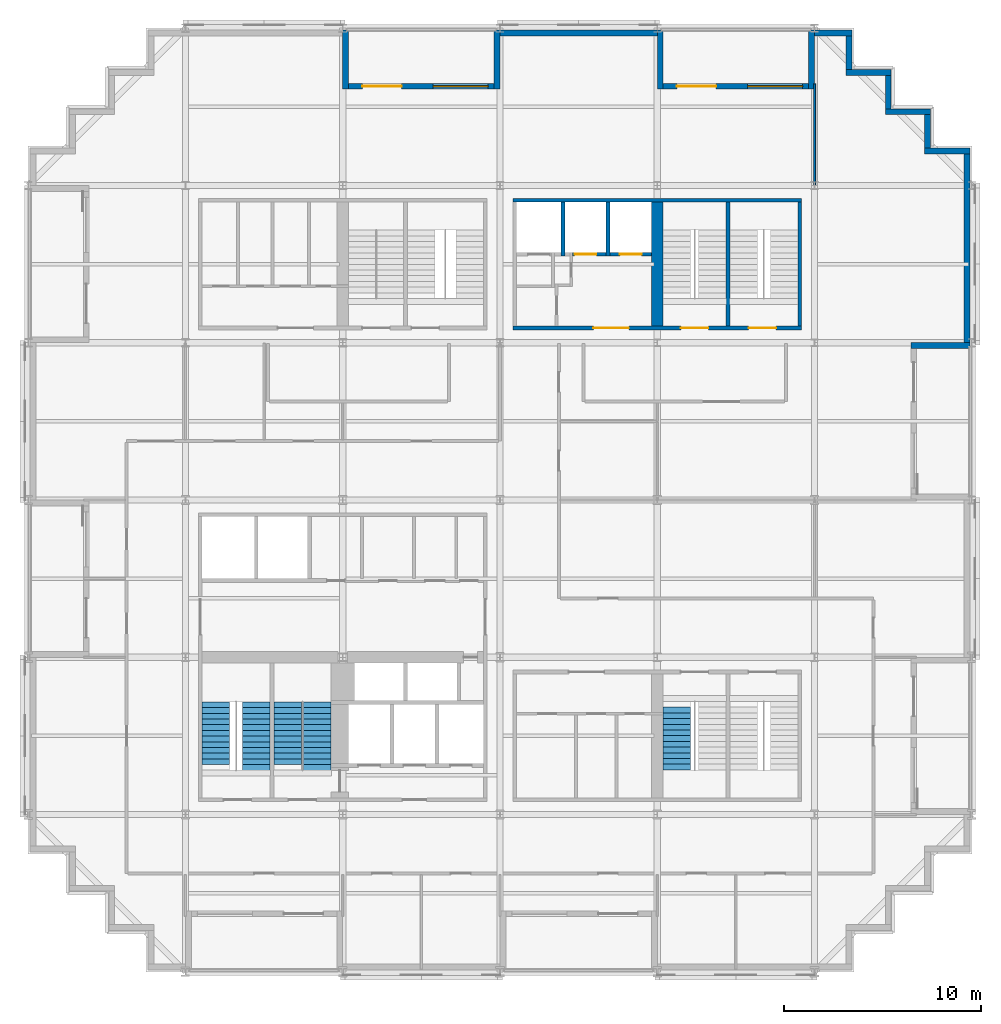
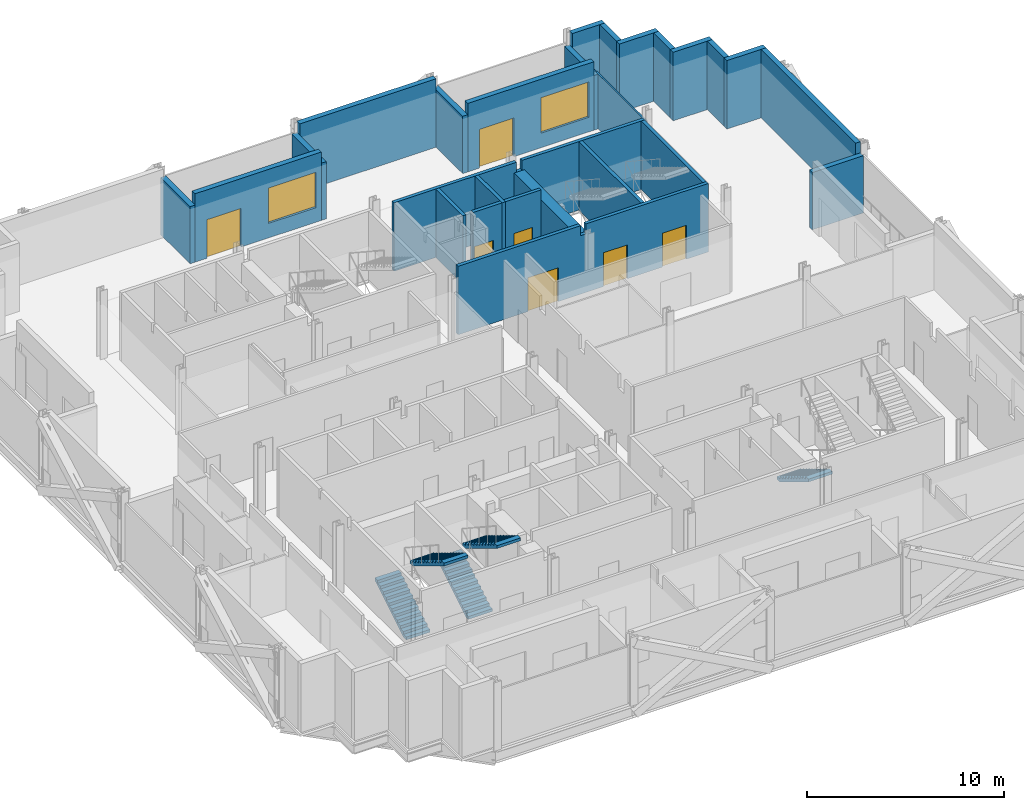
# One storey, part 9 of 12: 26 walls, 7 doors, 5 stair flights, 2 windows, 9 openings, 3 elements without a shape of their own.
"""IFC4 building model written with IfcOpenShell, lengths in metres."""

from ifc_helpers import new_model, si_unit, direction, frame, frame_2d, origin, place, context, subcontext, project, spatial, polyline, rectangle, outline, extrude, material, layer, layer_set, type_object, element, fill, aggregate, save


model = new_model("IFC4")

# Units and contexts
model_context = context("Model", 3, precision=1e-05, world=origin(), true_north=direction((0.0, 1.0)))
body_context = subcontext(model_context, "Body", "Model", "MODEL_VIEW")
ifc_project = project(units=[si_unit("LENGTHUNIT", "METRE"), si_unit("AREAUNIT", "SQUARE_METRE"), si_unit("VOLUMEUNIT", "CUBIC_METRE"), si_unit("PLANEANGLEUNIT", "RADIAN"), si_unit("MASSUNIT", "GRAM", prefix="KILO")], contexts=[model_context])

# Site, building, storey
site_placement = place(None, origin())
site = spatial("IfcSite", under=ifc_project, at=site_placement, CompositionType="ELEMENT")
building_placement = place(site_placement, origin())
building = spatial("IfcBuilding", under=site, at=building_placement, Name="Immortelle Media Tower", CompositionType="ELEMENT")
storey_placement = place(building_placement, frame((0.0, 0.0, 52.39990234375)))
storey = spatial("IfcBuildingStorey", under=building, at=storey_placement, Name="L08", CompositionType="ELEMENT", Elevation=52.39990234375)

# Wall
ifc_material_1 = material(Name="Fire-rated gypsum board", Category="gypsum")
ifc_layer_1 = layer(ifc_material_1, 0.03759765625)
ifc_material_2 = material(Name="Steel ASTM A653 SS Gr 50 stud frame with mineral wool", Category="steel")
ifc_layer_2 = layer(ifc_material_2, 0.125)
ifc_layer_3 = layer(ifc_material_1, 0.03759765625)
ifc_layer_set_1 = layer_set([ifc_layer_1, ifc_layer_2, ifc_layer_3], Name="Steel ASTM A653 SS Gr 50 stud frame with mineral wool")
wall_type_1 = type_object("IfcWallType", Name="Core shaft wall 200", PredefinedType="PARTITIONING", material=ifc_layer_set_1)
wall_1_placement = place(storey_placement, frame((27.199951171875, 36.39990234375, 0.0), z_axis=(0.0, 0.0, 1.0), x_axis=(0.0, 1.0, 0.0)))
element("IfcWall", 1, at=wall_1_placement, inside=storey, type_object=wall_type_1, Name="Core shaft wall NE", PredefinedType="PARTITIONING", context=body_context, shape_type="SweptSolid", body=[
    extrude(rectangle(XDim=2.75, YDim=0.199951171875, at=frame_2d((1.375, 0.0))), origin(), (0.0, 0.0, 1.0), 4.25),
])

# Wall, opening, door
wall_2_placement = place(storey_placement, frame((27.699951171875, 36.5, 0.0), z_axis=(0.0, 0.0, 1.0), x_axis=(1.0, 0.0, 0.0)))
wall_2 = element("IfcWall", 2, at=wall_2_placement, inside=storey, type_object=wall_type_1, Name="Core shaft wall NE", PredefinedType="PARTITIONING", context=body_context, shape_type="SweptSolid", body=[
    extrude(rectangle(XDim=1.699951171875, YDim=0.199951171875, at=frame_2d((0.85009765625, 0.0))), origin(), (0.0, 0.0, 1.0), 4.25),
])
opening_1_placement = place(wall_2_placement, frame((0.10009765625, 0.0, 0.0)))
opening_1 = element("IfcOpeningElement", 3, at=opening_1_placement, cuts=wall_2, Name="Opening LD", PredefinedType="OPENING", context=body_context, shape_type="SweptSolid", body=[
    extrude(rectangle(XDim=1.10009765625, YDim=2.10009765625, at=frame_2d((0.550048828125, 1.050048828125))), frame((0.0, 0.10986328125, 0.0), z_axis=(0.0, -1.0, 0.0), x_axis=(1.0, 0.0, 0.0)), (0.0, 0.0, 1.0), 0.219970703125),
])
ifc_material_3 = material(Name="Stainless steel AISI 304", Category="steel")
door_type_1 = type_object("IfcDoorType", Name="Landing door 1100 x 2100", OperationType="SLIDING_TO_LEFT", PredefinedType="NOTDEFINED", material=ifc_material_3)
door_1_placement = place(opening_1_placement, origin())
door_1 = element("IfcDoor", 4, at=door_1_placement, inside=storey, type_object=door_type_1, Name="Landing door LR2 L08", OperationType="SLIDING_TO_LEFT", OverallHeight=2.10009765625, OverallWidth=1.10009765625, PredefinedType="NOTDEFINED", context=body_context, shape_type="SweptSolid", body=[
    extrude(rectangle(XDim=1.10009765625, YDim=2.10009765625, at=frame_2d((0.550048828125, 1.050048828125))), frame((0.0, 0.02490234375, 0.0), z_axis=(0.0, -1.0, 0.0), x_axis=(1.0, 0.0, 0.0)), (0.0, 0.0, 1.0), 0.050048828125),
])
fill(opening_1, door_1)

# Wall
wall_3_placement = place(storey_placement, frame((29.5, 36.39990234375, 0.0), z_axis=(0.0, 0.0, 1.0), x_axis=(0.0, 1.0, 0.0)))
element("IfcWall", 5, at=wall_3_placement, inside=storey, type_object=wall_type_1, Name="Core shaft wall NE", PredefinedType="PARTITIONING", context=body_context, shape_type="SweptSolid", body=[
    extrude(rectangle(XDim=2.75, YDim=0.199951171875, at=frame_2d((1.375, 0.0))), origin(), (0.0, 0.0, 1.0), 4.25),
])

# Wall, opening, door
wall_4_placement = place(storey_placement, frame((29.60009765625, 36.5, 0.0), z_axis=(0.0, 0.0, 1.0), x_axis=(1.0, 0.0, 0.0)))
wall_4 = element("IfcWall", 6, at=wall_4_placement, inside=storey, type_object=wall_type_1, Name="Core shaft wall NE", PredefinedType="PARTITIONING", context=body_context, shape_type="SweptSolid", body=[
    extrude(rectangle(XDim=2.099853515625, YDim=0.199951171875, at=frame_2d((1.0498046875, 0.0))), origin(), (0.0, 0.0, 1.0), 4.25),
])
opening_2_placement = place(wall_4_placement, frame((0.5, 0.0, 0.0)))
opening_2 = element("IfcOpeningElement", 7, at=opening_2_placement, cuts=wall_4, Name="Opening LD", PredefinedType="OPENING", context=body_context, shape_type="SweptSolid", body=[
    extrude(rectangle(XDim=1.10009765625, YDim=2.10009765625, at=frame_2d((0.550048828125, 1.050048828125))), frame((0.0, 0.10986328125, 0.0), z_axis=(0.0, -1.0, 0.0), x_axis=(1.0, 0.0, 0.0)), (0.0, 0.0, 1.0), 0.219970703125),
])
door_2_placement = place(opening_2_placement, origin())
door_2 = element("IfcDoor", 8, at=door_2_placement, inside=storey, type_object=door_type_1, Name="Landing door LR3 L08", OperationType="SLIDING_TO_LEFT", OverallHeight=2.10009765625, OverallWidth=1.10009765625, PredefinedType="NOTDEFINED", context=body_context, shape_type="SweptSolid", body=[
    extrude(rectangle(XDim=1.10009765625, YDim=2.10009765625, at=frame_2d((0.550048828125, 1.050048828125))), frame((0.0, 0.02490234375, 0.0), z_axis=(0.0, -1.0, 0.0), x_axis=(1.0, 0.0, 0.0)), (0.0, 0.0, 1.0), 0.050048828125),
])
fill(opening_2, door_2)

# Walls
ifc_material_4 = material(Name="Pale aluminium cladding panel", Category="aluminium")
ifc_layer_4 = layer(ifc_material_4, 0.030029296875)
ifc_layer_5 = layer(ifc_material_2, 0.257568359375)
ifc_material_5 = material(Name="Moisture-resistant gypsum board", Category="gypsum")
ifc_layer_6 = layer(ifc_material_5, 0.012451171875)
ifc_layer_set_2 = layer_set([ifc_layer_4, ifc_layer_5, ifc_layer_6], Name="Steel ASTM A653 SS Gr 50 stud frame with mineral wool")
wall_type_2 = type_object("IfcWallType", Name="Facade wall 300", PredefinedType="SOLIDWALL", material=ifc_layer_set_2)
wall_5_placement = place(storey_placement, frame((47.89990234375, 31.85009765625, 0.0), z_axis=(0.0, 0.0, 1.0), x_axis=(-1.0, 0.0, 0.0)))
element("IfcWall", 9, at=wall_5_placement, inside=storey, type_object=wall_type_2, Name="Loggia cheek wall L08 E", PredefinedType="SOLIDWALL", context=body_context, shape_type="SweptSolid", body=[
    extrude(rectangle(XDim=3.0, YDim=0.300048828125, at=frame_2d((1.5, 0.0))), origin(), (0.0, 0.0, 1.0), 3.552978515625),
])
wall_6_placement = place(storey_placement, frame((47.75, 32.0, 0.0), z_axis=(0.0, 0.0, 1.0), x_axis=(0.0, 1.0, 0.0)))
element("IfcWall", 10, at=wall_6_placement, inside=storey, type_object=wall_type_2, Name="Facade wall L08 E14", PredefinedType="SOLIDWALL", context=body_context, shape_type="SweptSolid", body=[
    extrude(rectangle(XDim=9.60009765625, YDim=0.300048828125, at=frame_2d((4.800048828125, 0.0))), origin(), (0.0, 0.0, 1.0), 4.25),
])
wall_7_placement = place(storey_placement, frame((47.89990234375, 41.75, 0.0), z_axis=(0.0, 0.0, 1.0), x_axis=(-1.0, 0.0, 0.0)))
element("IfcWall", 11, at=wall_7_placement, inside=storey, type_object=wall_type_2, Name="Facade wall L08 N15", PredefinedType="SOLIDWALL", context=body_context, shape_type="SweptSolid", body=[
    extrude(rectangle(XDim=2.2998046875, YDim=0.300048828125, at=frame_2d((1.14990234375, 0.0))), origin(), (0.0, 0.0, 1.0), 4.25),
])
wall_8_placement = place(storey_placement, frame((45.75, 41.89990234375, 0.0), z_axis=(0.0, 0.0, 1.0), x_axis=(0.0, 1.0, 0.0)))
element("IfcWall", 12, at=wall_8_placement, inside=storey, type_object=wall_type_2, Name="Facade wall L08 E16", PredefinedType="SOLIDWALL", context=body_context, shape_type="SweptSolid", body=[
    extrude(rectangle(XDim=1.7001953125, YDim=0.300048828125, at=frame_2d((0.85009765625, 0.0))), origin(), (0.0, 0.0, 1.0), 4.25),
])
wall_9_placement = place(storey_placement, frame((45.89990234375, 43.75, 0.0), z_axis=(0.0, 0.0, 1.0), x_axis=(-1.0, 0.0, 0.0)))
element("IfcWall", 13, at=wall_9_placement, inside=storey, type_object=wall_type_2, Name="Facade wall L08 N17", PredefinedType="SOLIDWALL", context=body_context, shape_type="SweptSolid", body=[
    extrude(rectangle(XDim=2.2998046875, YDim=0.300048828125, at=frame_2d((1.14990234375, 0.0))), origin(), (0.0, 0.0, 1.0), 4.25),
])
wall_10_placement = place(storey_placement, frame((43.75, 43.89990234375, 0.0), z_axis=(0.0, 0.0, 1.0), x_axis=(0.0, 1.0, 0.0)))
element("IfcWall", 14, at=wall_10_placement, inside=storey, type_object=wall_type_2, Name="Facade wall L08 E18", PredefinedType="SOLIDWALL", context=body_context, shape_type="SweptSolid", body=[
    extrude(rectangle(XDim=1.7001953125, YDim=0.300048828125, at=frame_2d((0.85009765625, 0.0))), origin(), (0.0, 0.0, 1.0), 4.25),
])
wall_11_placement = place(storey_placement, frame((43.89990234375, 45.75, 0.0), z_axis=(0.0, 0.0, 1.0), x_axis=(-1.0, 0.0, 0.0)))
element("IfcWall", 15, at=wall_11_placement, inside=storey, type_object=wall_type_2, Name="Facade wall L08 N19", PredefinedType="SOLIDWALL", context=body_context, shape_type="SweptSolid", body=[
    extrude(rectangle(XDim=2.2998046875, YDim=0.300048828125, at=frame_2d((1.14990234375, 0.0))), origin(), (0.0, 0.0, 1.0), 4.25),
])
wall_12_placement = place(storey_placement, frame((41.75, 45.89990234375, 0.0), z_axis=(0.0, 0.0, 1.0), x_axis=(0.0, 1.0, 0.0)))
element("IfcWall", 16, at=wall_12_placement, inside=storey, type_object=wall_type_2, Name="Facade wall L08 E20", PredefinedType="SOLIDWALL", context=body_context, shape_type="SweptSolid", body=[
    extrude(rectangle(XDim=1.7001953125, YDim=0.300048828125, at=frame_2d((0.85009765625, 0.0))), origin(), (0.0, 0.0, 1.0), 4.25),
])
wall_13_placement = place(storey_placement, frame((41.89990234375, 47.75, 0.0), z_axis=(0.0, 0.0, 1.0), x_axis=(-1.0, 0.0, 0.0)))
element("IfcWall", 17, at=wall_13_placement, inside=storey, type_object=wall_type_2, Name="Facade wall L08 N21", PredefinedType="SOLIDWALL", context=body_context, shape_type="SweptSolid", body=[
    extrude(rectangle(XDim=1.89990234375, YDim=0.300048828125, at=frame_2d((0.949951171875, 0.0))), origin(), (0.0, 0.0, 1.0), 4.25),
])

# Wall, openings, door, window
wall_14_placement = place(storey_placement, frame((39.699951171875, 45.050048828125, 0.0), z_axis=(0.0, 0.0, 1.0), x_axis=(-1.0, 0.0, 0.0)))
wall_14 = element("IfcWall", 18, at=wall_14_placement, inside=storey, type_object=wall_type_2, Name="Loggia wall L08 N21", PredefinedType="SOLIDWALL", context=body_context, shape_type="SweptSolid", body=[
    extrude(rectangle(XDim=7.39990234375, YDim=0.300048828125, at=frame_2d((3.699951171875, 0.0))), origin(), (0.0, 0.0, 1.0), 4.25),
])
opening_3_placement = place(wall_14_placement, frame((0.300048828125, 0.0, 0.89990234375)))
opening_3 = element("IfcOpeningElement", 19, at=opening_3_placement, cuts=wall_14, Name="Opening W1", PredefinedType="OPENING", context=body_context, shape_type="SweptSolid", body=[
    extrude(rectangle(XDim=2.800048828125, YDim=2.199951171875, at=frame_2d((1.39990234375, 1.10009765625))), frame((0.0, 0.159912109375, 0.0), z_axis=(0.0, -1.0, 0.0), x_axis=(1.0, 0.0, 0.0)), (0.0, 0.0, 1.0), 0.320068359375),
])
opening_4_placement = place(wall_14_placement, frame((4.699951171875, 0.0, 0.0)))
opening_4 = element("IfcOpeningElement", 20, at=opening_4_placement, cuts=wall_14, Name="Opening N2-E007", PredefinedType="OPENING", context=body_context, shape_type="SweptSolid", body=[
    extrude(rectangle(XDim=2.0, YDim=2.39990234375, at=frame_2d((1.0, 1.199951171875))), frame((0.0, 0.159912109375, 0.0), z_axis=(0.0, -1.0, 0.0), x_axis=(1.0, 0.0, 0.0)), (0.0, 0.0, 1.0), 0.320068359375),
])
ifc_material_6 = material(Name="Aluminium frame, glazed leaves", Category="aluminium")
door_type_2 = type_object("IfcDoorType", Name="Loggia door 2000 x 2400", OperationType="DOUBLE_DOOR_SINGLE_SWING", PredefinedType="DOOR", material=ifc_material_6)
door_3_placement = place(opening_4_placement, origin())
door_3 = element("IfcDoor", 21, at=door_3_placement, inside=storey, type_object=door_type_2, Name="Door N2-E007", OperationType="DOUBLE_DOOR_SINGLE_SWING", OverallHeight=2.39990234375, OverallWidth=2.0, PredefinedType="DOOR", context=body_context, shape_type="SweptSolid", body=[
    extrude(rectangle(XDim=2.0, YDim=2.39990234375, at=frame_2d((1.0, 1.199951171875))), frame((0.0, 0.02490234375, 0.0), z_axis=(0.0, -1.0, 0.0), x_axis=(1.0, 0.0, 0.0)), (0.0, 0.0, 1.0), 0.050048828125),
])
fill(opening_4, door_3)
ifc_material_7 = material(Name="Aluminium frame", Category="aluminium")
window_type = type_object("IfcWindowType", Name="Window 2800 x 2200", PartitioningType="SINGLE_PANEL", PredefinedType="WINDOW", material=ifc_material_7)
window_1_placement = place(opening_3_placement, origin())
window_1 = element("IfcWindow", 22, at=window_1_placement, inside=storey, type_object=window_type, Name="Window L08 L08-R21-B0", OverallHeight=2.199951171875, OverallWidth=2.800048828125, PartitioningType="SINGLE_PANEL", PredefinedType="WINDOW", context=body_context, shape_type="SweptSolid", body=[
    extrude(rectangle(XDim=2.800048828125, YDim=2.199951171875, at=frame_2d((1.39990234375, 1.10009765625))), frame((0.0, 0.030029296875, 0.0), z_axis=(0.0, -1.0, 0.0), x_axis=(1.0, 0.0, 0.0)), (0.0, 0.0, 1.0), 0.06005859375),
])
fill(opening_3, window_1)

# Walls
wall_15_placement = place(storey_placement, frame((39.85009765625, 47.89990234375, 0.0), z_axis=(0.0, 0.0, 1.0), x_axis=(0.0, -1.0, 0.0)))
element("IfcWall", 23, at=wall_15_placement, inside=storey, type_object=wall_type_2, Name="Loggia cheek wall L08 N", PredefinedType="SOLIDWALL", context=body_context, shape_type="SweptSolid", body=[
    extrude(rectangle(XDim=3.0, YDim=0.300048828125, at=frame_2d((1.5, 0.0))), origin(), (0.0, 0.0, 1.0), 3.39013671875),
])
wall_16_placement = place(storey_placement, frame((32.14990234375, 47.89990234375, 0.0), z_axis=(0.0, 0.0, 1.0), x_axis=(0.0, -1.0, 0.0)))
element("IfcWall", 24, at=wall_16_placement, inside=storey, type_object=wall_type_2, Name="Loggia cheek wall L08 N", PredefinedType="SOLIDWALL", context=body_context, shape_type="SweptSolid", body=[
    extrude(rectangle(XDim=3.0, YDim=0.300048828125, at=frame_2d((1.5, 0.0))), origin(), (0.0, 0.0, 1.0), 3.552978515625),
])
wall_17_placement = place(storey_placement, frame((32.0, 47.75, 0.0), z_axis=(0.0, 0.0, 1.0), x_axis=(-1.0, 0.0, 0.0)))
element("IfcWall", 25, at=wall_17_placement, inside=storey, type_object=wall_type_2, Name="Facade wall L08 N21", PredefinedType="SOLIDWALL", context=body_context, shape_type="SweptSolid", body=[
    extrude(rectangle(XDim=8.0, YDim=0.300048828125, at=frame_2d((4.0, 0.0))), origin(), (0.0, 0.0, 1.0), 4.25),
])

# Wall, openings, door, window
wall_18_placement = place(storey_placement, frame((23.699951171875, 45.050048828125, 0.0), z_axis=(0.0, 0.0, 1.0), x_axis=(-1.0, 0.0, 0.0)))
wall_18 = element("IfcWall", 26, at=wall_18_placement, inside=storey, type_object=wall_type_2, Name="Loggia wall L08 N21", PredefinedType="SOLIDWALL", context=body_context, shape_type="SweptSolid", body=[
    extrude(rectangle(XDim=7.39990234375, YDim=0.300048828125, at=frame_2d((3.699951171875, 0.0))), origin(), (0.0, 0.0, 1.0), 4.25),
])
opening_5_placement = place(wall_18_placement, frame((0.300048828125, 0.0, 0.89990234375)))
opening_5 = element("IfcOpeningElement", 27, at=opening_5_placement, cuts=wall_18, Name="Opening W1", PredefinedType="OPENING", context=body_context, shape_type="SweptSolid", body=[
    extrude(rectangle(XDim=2.800048828125, YDim=2.199951171875, at=frame_2d((1.39990234375, 1.10009765625))), frame((0.0, 0.159912109375, 0.0), z_axis=(0.0, -1.0, 0.0), x_axis=(1.0, 0.0, 0.0)), (0.0, 0.0, 1.0), 0.320068359375),
])
opening_6_placement = place(wall_18_placement, frame((4.699951171875, 0.0, 0.0)))
opening_6 = element("IfcOpeningElement", 28, at=opening_6_placement, cuts=wall_18, Name="Opening N2-E008", PredefinedType="OPENING", context=body_context, shape_type="SweptSolid", body=[
    extrude(rectangle(XDim=2.0, YDim=2.39990234375, at=frame_2d((1.0, 1.199951171875))), frame((0.0, 0.159912109375, 0.0), z_axis=(0.0, -1.0, 0.0), x_axis=(1.0, 0.0, 0.0)), (0.0, 0.0, 1.0), 0.320068359375),
])
door_4_placement = place(opening_6_placement, origin())
door_4 = element("IfcDoor", 29, at=door_4_placement, inside=storey, type_object=door_type_2, Name="Door N2-E008", OperationType="DOUBLE_DOOR_SINGLE_SWING", OverallHeight=2.39990234375, OverallWidth=2.0, PredefinedType="DOOR", context=body_context, shape_type="SweptSolid", body=[
    extrude(rectangle(XDim=2.0, YDim=2.39990234375, at=frame_2d((1.0, 1.199951171875))), frame((0.0, 0.02490234375, 0.0), z_axis=(0.0, -1.0, 0.0), x_axis=(1.0, 0.0, 0.0)), (0.0, 0.0, 1.0), 0.050048828125),
])
fill(opening_6, door_4)
window_2_placement = place(opening_5_placement, origin())
window_2 = element("IfcWindow", 30, at=window_2_placement, inside=storey, type_object=window_type, Name="Window L08 L08-R21-B2", OverallHeight=2.199951171875, OverallWidth=2.800048828125, PartitioningType="SINGLE_PANEL", PredefinedType="WINDOW", context=body_context, shape_type="SweptSolid", body=[
    extrude(rectangle(XDim=2.800048828125, YDim=2.199951171875, at=frame_2d((1.39990234375, 1.10009765625))), frame((0.0, 0.030029296875, 0.0), z_axis=(0.0, -1.0, 0.0), x_axis=(1.0, 0.0, 0.0)), (0.0, 0.0, 1.0), 0.06005859375),
])
fill(opening_5, window_2)

# Walls
for number, where, z_axis, x_axis, name in (
    (31, (23.85009765625, 47.89990234375, 0.0), (0.0, 0.0, 1.0), (0.0, -1.0, 0.0), "Loggia cheek wall L08 N"),
    (32, (16.14990234375, 47.89990234375, 0.0), (0.0, 0.0, 1.0), (0.0, -1.0, 0.0), "Loggia cheek wall L08 N"),
):
    element("IfcWall", number, at=place(storey_placement, frame(where, z_axis=z_axis, x_axis=x_axis)), inside=storey, type_object=wall_type_2, Name=name, PredefinedType="SOLIDWALL", context=body_context, shape_type="SweptSolid", body=[
        extrude(rectangle(XDim=3.0, YDim=0.300048828125, at=frame_2d((1.5, 0.0))), origin(), (0.0, 0.0, 1.0), 3.552978515625),
    ])
ifc_material_8 = material(Name="Gypsum board", Category="gypsum")
ifc_layer_7 = layer(ifc_material_8, 0.012451171875)
ifc_layer_8 = layer(ifc_material_2, 0.074951171875)
ifc_layer_9 = layer(ifc_material_8, 0.012451171875)
ifc_layer_set_3 = layer_set([ifc_layer_7, ifc_layer_8, ifc_layer_9], Name="Steel ASTM A653 SS Gr 50 stud frame with mineral wool")
wall_type_3 = type_object("IfcWallType", Name="Partition 100", PredefinedType="PARTITIONING", material=ifc_layer_set_3)
wall_19_placement = place(storey_placement, frame((40.0, 40.030029296875, 0.0), z_axis=(0.0, 0.0, 1.0), x_axis=(0.0, 1.0, 0.0)))
element("IfcWall", 33, at=wall_19_placement, inside=storey, type_object=wall_type_3, Name="Partition L08-035", PredefinedType="PARTITIONING", context=body_context, shape_type="SweptSolid", body=[
    extrude(rectangle(XDim=5.139892578125, YDim=0.10009765625, at=frame_2d((2.56982421875, 0.0))), origin(), (0.0, 0.0, 1.0), 3.39111328125),
])

# Wall, openings, doors
ifc_material_9 = material(Name="Concrete C60", Category="concrete")
ifc_layer_10 = layer(ifc_material_9, 0.199951171875)
ifc_layer_set_4 = layer_set([ifc_layer_10], Name="Concrete C60")
wall_type_4 = type_object("IfcWallType", Name="Stair shaft wall 200", PredefinedType="PARTITIONING", material=ifc_layer_set_4)
wall_20_placement = place(storey_placement, frame((24.64990234375, 32.75, 0.0), z_axis=(0.0, 0.0, 1.0), x_axis=(1.0, 0.0, 0.0)))
wall_20 = element("IfcWall", 34, at=wall_20_placement, inside=storey, type_object=wall_type_4, Name="Stair shaft wall NE", PredefinedType="PARTITIONING", context=body_context, shape_type="SweptSolid", body=[
    extrude(outline(polyline([(0.0, 0.0), (14.7001953125, 0.0), (14.699951171875, 4.25), (7.51708984375, 4.25), (7.51611328125, 3.632080078125), (7.18408203125, 3.632080078125), (7.18310546875, 4.25), (0.0, 4.25), (0.0, 0.0)])), frame((0.0, 0.10009765625, 0.0), z_axis=(0.0, -1.0, 0.0), x_axis=(1.0, 0.0, 0.0)), (0.0, 0.0, 1.0), 0.199951171875),
])
opening_7_placement = place(wall_20_placement, frame((4.10009765625, 0.0, 0.0)))
opening_7 = element("IfcOpeningElement", 35, at=opening_7_placement, cuts=wall_20, Name="Opening N2-K034", PredefinedType="OPENING", context=body_context, shape_type="SweptSolid", body=[
    extrude(rectangle(XDim=1.800048828125, YDim=2.10009765625, at=frame_2d((0.89990234375, 1.050048828125))), frame((0.0, 0.10986328125, 0.0), z_axis=(0.0, -1.0, 0.0), x_axis=(1.0, 0.0, 0.0)), (0.0, 0.0, 1.0), 0.219970703125),
])
opening_8_placement = place(wall_20_placement, frame((8.550048828125, 0.0, 0.0)))
opening_8 = element("IfcOpeningElement", 36, at=opening_8_placement, cuts=wall_20, Name="Opening N2-K038", PredefinedType="OPENING", context=body_context, shape_type="SweptSolid", body=[
    extrude(rectangle(XDim=1.39990234375, YDim=2.10009765625, at=frame_2d((0.699951171875, 1.050048828125))), frame((0.0, 0.10986328125, 0.0), z_axis=(0.0, -1.0, 0.0), x_axis=(1.0, 0.0, 0.0)), (0.0, 0.0, 1.0), 0.219970703125),
])
opening_9_placement = place(wall_20_placement, frame((12.0, 0.0, 0.0)))
opening_9 = element("IfcOpeningElement", 37, at=opening_9_placement, cuts=wall_20, Name="Opening N2-K039", PredefinedType="OPENING", context=body_context, shape_type="SweptSolid", body=[
    extrude(rectangle(XDim=1.39990234375, YDim=2.10009765625, at=frame_2d((0.699951171875, 1.050048828125))), frame((0.0, 0.10986328125, 0.0), z_axis=(0.0, -1.0, 0.0), x_axis=(1.0, 0.0, 0.0)), (0.0, 0.0, 1.0), 0.219970703125),
])
ifc_material_10 = material(Name="Galvanised steel door leaf and frame ASTM A653", Category="steel")
door_type_3 = type_object("IfcDoorType", Name="Lift lobby door 1800 x 2100", OperationType="DOUBLE_DOOR_SINGLE_SWING", PredefinedType="NOTDEFINED", material=ifc_material_10)
door_5_placement = place(opening_7_placement, origin())
door_5 = element("IfcDoor", 38, at=door_5_placement, inside=storey, type_object=door_type_3, Name="Lift lobby N2-K034", OperationType="DOUBLE_DOOR_SINGLE_SWING", OverallHeight=2.10009765625, OverallWidth=1.800048828125, PredefinedType="NOTDEFINED", context=body_context, shape_type="SweptSolid", body=[
    extrude(rectangle(XDim=1.800048828125, YDim=2.10009765625, at=frame_2d((0.89990234375, 1.050048828125))), frame((0.0, 0.02490234375, 0.0), z_axis=(0.0, -1.0, 0.0), x_axis=(1.0, 0.0, 0.0)), (0.0, 0.0, 1.0), 0.050048828125),
])
fill(opening_7, door_5)
door_type_4 = type_object("IfcDoorType", Name="Stair door 1400 x 2100", OperationType="DOUBLE_DOOR_SINGLE_SWING", PredefinedType="NOTDEFINED", material=ifc_material_10)
door_6_placement = place(opening_8_placement, origin())
door_6 = element("IfcDoor", 39, at=door_6_placement, inside=storey, type_object=door_type_4, Name="Stair N2-K038", OperationType="DOUBLE_DOOR_SINGLE_SWING", OverallHeight=2.10009765625, OverallWidth=1.39990234375, PredefinedType="NOTDEFINED", context=body_context, shape_type="SweptSolid", body=[
    extrude(rectangle(XDim=1.39990234375, YDim=2.10009765625, at=frame_2d((0.699951171875, 1.050048828125))), frame((0.0, 0.02490234375, 0.0), z_axis=(0.0, -1.0, 0.0), x_axis=(1.0, 0.0, 0.0)), (0.0, 0.0, 1.0), 0.050048828125),
])
fill(opening_8, door_6)
door_7_placement = place(opening_9_placement, origin())
door_7 = element("IfcDoor", 40, at=door_7_placement, inside=storey, type_object=door_type_4, Name="Stair N2-K039", OperationType="DOUBLE_DOOR_SINGLE_SWING", OverallHeight=2.10009765625, OverallWidth=1.39990234375, PredefinedType="NOTDEFINED", context=body_context, shape_type="SweptSolid", body=[
    extrude(rectangle(XDim=1.39990234375, YDim=2.10009765625, at=frame_2d((0.699951171875, 1.050048828125))), frame((0.0, 0.02490234375, 0.0), z_axis=(0.0, -1.0, 0.0), x_axis=(1.0, 0.0, 0.0)), (0.0, 0.0, 1.0), 0.050048828125),
])
fill(opening_9, door_7)

# Walls
wall_21_placement = place(storey_placement, frame((24.64990234375, 39.25, 0.0), z_axis=(0.0, 0.0, 1.0), x_axis=(1.0, 0.0, 0.0)))
element("IfcWall", 41, at=wall_21_placement, inside=storey, type_object=wall_type_4, Name="Stair shaft wall NE", PredefinedType="PARTITIONING", context=body_context, shape_type="SweptSolid", body=[
    extrude(outline(polyline([(0.0, 0.0), (14.7001953125, 0.0), (14.699951171875, 4.25), (7.51708984375, 4.25), (7.51611328125, 3.632080078125), (7.18408203125, 3.632080078125), (7.18310546875, 4.25), (0.0, 4.25), (0.0, 0.0)])), frame((0.0, 0.10009765625, 0.0), z_axis=(0.0, -1.0, 0.0), x_axis=(1.0, 0.0, 0.0)), (0.0, 0.0, 1.0), 0.199951171875),
])
for number, where, z_axis, x_axis, name in (
    (42, (35.60009765625, 32.85009765625, 0.0), (0.0, 0.0, 1.0), (0.0, 1.0, 0.0), "Stair shaft wall NE"),
    (43, (39.25, 32.85009765625, 0.0), (0.0, 0.0, 1.0), (0.0, 1.0, 0.0), "Stair shaft wall NE"),
):
    element("IfcWall", number, at=place(storey_placement, frame(where, z_axis=z_axis, x_axis=x_axis)), inside=storey, type_object=wall_type_4, Name=name, PredefinedType="PARTITIONING", context=body_context, shape_type="SweptSolid", body=[
        extrude(rectangle(XDim=6.2998046875, YDim=0.199951171875, at=frame_2d((3.14990234375, 0.0))), origin(), (0.0, 0.0, 1.0), 4.25),
    ])
ifc_layer_11 = layer(ifc_material_9, 0.60009765625)
ifc_layer_set_5 = layer_set([ifc_layer_11], Name="Concrete C60")
wall_type_5 = type_object("IfcWallType", Name="Stair shaft wall 600", PredefinedType="PARTITIONING", material=ifc_layer_set_5)
wall_22_placement = place(storey_placement, frame((32.0, 32.85009765625, 0.0), z_axis=(0.0, 0.0, 1.0), x_axis=(0.0, 1.0, 0.0)))
element("IfcWall", 44, at=wall_22_placement, inside=storey, type_object=wall_type_5, Name="Stair shaft wall NE", PredefinedType="PARTITIONING", context=body_context, shape_type="SweptSolid", body=[
    extrude(rectangle(XDim=6.2998046875, YDim=0.60009765625, at=frame_2d((3.14990234375, 0.0))), origin(), (0.0, 0.0, 1.0), 3.632080078125),
])

# Stair, stair flights
ifc_material_11 = material(Name="Steel ASTM A992 Gr 50", Category="steel")
stair_type = type_object("IfcStairType", Name="Stair with flights", PredefinedType="DOUBLE_RETURN_STAIR", material=ifc_material_11)
stair_1_placement = place(storey_placement, origin())
stair_1 = element("IfcStair", 45, at=stair_1_placement, inside=storey, type_object=stair_type, Name="Exit stair SW1", PredefinedType="DOUBLE_RETURN_STAIR")
stair_flight_type = type_object("IfcStairFlightType", Name="Stair flight 1400", PredefinedType="STRAIGHT", material=ifc_material_11)
stair_flight_1_placement = place(storey_placement, frame((9.550048828125, 10.5400390625, 0.0), z_axis=(0.0, 0.0, 1.0), x_axis=(0.0, 1.0, 0.0)))
stair_flight_1 = element("IfcStairFlight", 46, at=stair_flight_1_placement, type_object=stair_flight_type, Name="ST SW1 flight 1", NumberOfRisers=12, NumberOfTreads=11, PredefinedType="STRAIGHT", RiserHeight=0.176, TreadLength=0.29, context=body_context, shape_type="SweptSolid", body=[
    extrude(outline(polyline([(0.0, 0.0), (0.0, 0.176025390625), (0.2900390625, 0.176025390625), (0.2900390625, 0.35205078125), (0.580078125, 0.35205078125), (0.580078125, 0.528076171875), (0.8701171875, 0.528076171875), (0.8701171875, 0.7041015625), (1.159912109375, 0.7041015625), (1.159912109375, 0.8798828125), (1.449951171875, 0.8798828125), (1.449951171875, 1.055908203125), (1.739990234375, 1.055908203125), (1.739990234375, 1.23193359375), (2.030029296875, 1.23193359375), (2.030029296875, 1.407958984375), (2.320068359375, 1.407958984375), (2.320068359375, 1.583984375), (2.610107421875, 1.583984375), (2.610107421875, 1.760009765625), (2.89990234375, 1.760009765625), (2.89990234375, 1.93603515625), (3.18994140625, 1.93603515625), (3.18994140625, 2.112060546875), (3.18994140625, 1.7607421875), (0.288818359375, 0.0), (0.0, 0.0)])), frame((0.0, 0.699951171875, 0.0), z_axis=(0.0, -1.0, 0.0), x_axis=(1.0, 0.0, 0.0)), (0.0, 0.0, 1.0), 1.39990234375),
])
stair_flight_2_placement = place(storey_placement, frame((11.60009765625, 13.72998046875, 2.112060546875), z_axis=(0.0, 0.0, 1.0), x_axis=(0.0, -1.0, 0.0)))
stair_flight_2 = element("IfcStairFlight", 47, at=stair_flight_2_placement, type_object=stair_flight_type, Name="ST SW1 flight 2", NumberOfRisers=13, NumberOfTreads=12, PredefinedType="STRAIGHT", RiserHeight=0.176, TreadLength=0.29, context=body_context, shape_type="SweptSolid", body=[
    extrude(outline(polyline([(0.0, 0.0), (0.0, 0.176025390625), (0.2900390625, 0.176025390625), (0.2900390625, 0.35205078125), (0.580078125, 0.35205078125), (0.580078125, 0.528076171875), (0.8701171875, 0.528076171875), (0.8701171875, 0.7041015625), (1.159912109375, 0.7041015625), (1.159912109375, 0.8798828125), (1.449951171875, 0.8798828125), (1.449951171875, 1.055908203125), (1.739990234375, 1.055908203125), (1.739990234375, 1.23193359375), (2.030029296875, 1.23193359375), (2.030029296875, 1.407958984375), (2.320068359375, 1.407958984375), (2.320068359375, 1.583984375), (2.610107421875, 1.583984375), (2.610107421875, 1.760009765625), (2.89990234375, 1.760009765625), (2.89990234375, 1.93603515625), (3.18994140625, 1.93603515625), (3.18994140625, 2.112060546875), (3.47998046875, 2.112060546875), (3.47998046875, 2.2880859375), (3.47998046875, 1.936767578125), (0.288818359375, 0.0), (0.0, 0.0)])), frame((0.0, 0.699951171875, 0.0), z_axis=(0.0, -1.0, 0.0), x_axis=(1.0, 0.0, 0.0)), (0.0, 0.0, 1.0), 1.39990234375),
])
aggregate(stair_1, [stair_flight_1, stair_flight_2])

stair_2_placement = place(storey_placement, origin())
stair_2 = element("IfcStair", 48, at=stair_2_placement, inside=storey, type_object=stair_type, Name="Exit stair SW2", PredefinedType="DOUBLE_RETURN_STAIR")
stair_flight_3_placement = place(storey_placement, frame((13.199951171875, 10.5400390625, 0.0), z_axis=(0.0, 0.0, 1.0), x_axis=(0.0, 1.0, 0.0)))
stair_flight_3 = element("IfcStairFlight", 49, at=stair_flight_3_placement, type_object=stair_flight_type, Name="ST SW2 flight 1", NumberOfRisers=12, NumberOfTreads=11, PredefinedType="STRAIGHT", RiserHeight=0.176, TreadLength=0.29, context=body_context, shape_type="SweptSolid", body=[
    extrude(outline(polyline([(0.0, 0.0), (0.0, 0.176025390625), (0.2900390625, 0.176025390625), (0.2900390625, 0.35205078125), (0.580078125, 0.35205078125), (0.580078125, 0.528076171875), (0.8701171875, 0.528076171875), (0.8701171875, 0.7041015625), (1.159912109375, 0.7041015625), (1.159912109375, 0.8798828125), (1.449951171875, 0.8798828125), (1.449951171875, 1.055908203125), (1.739990234375, 1.055908203125), (1.739990234375, 1.23193359375), (2.030029296875, 1.23193359375), (2.030029296875, 1.407958984375), (2.320068359375, 1.407958984375), (2.320068359375, 1.583984375), (2.610107421875, 1.583984375), (2.610107421875, 1.760009765625), (2.89990234375, 1.760009765625), (2.89990234375, 1.93603515625), (3.18994140625, 1.93603515625), (3.18994140625, 2.112060546875), (3.18994140625, 1.7607421875), (0.288818359375, 0.0), (0.0, 0.0)])), frame((0.0, 0.699951171875, 0.0), z_axis=(0.0, -1.0, 0.0), x_axis=(1.0, 0.0, 0.0)), (0.0, 0.0, 1.0), 1.39990234375),
])
stair_flight_4_placement = place(storey_placement, frame((14.699951171875, 13.72998046875, 2.112060546875), z_axis=(0.0, 0.0, 1.0), x_axis=(0.0, -1.0, 0.0)))
stair_flight_4 = element("IfcStairFlight", 50, at=stair_flight_4_placement, type_object=stair_flight_type, Name="ST SW2 flight 2", NumberOfRisers=13, NumberOfTreads=12, PredefinedType="STRAIGHT", RiserHeight=0.176, TreadLength=0.29, context=body_context, shape_type="SweptSolid", body=[
    extrude(outline(polyline([(0.0, 0.0), (0.0, 0.176025390625), (0.2900390625, 0.176025390625), (0.2900390625, 0.35205078125), (0.580078125, 0.35205078125), (0.580078125, 0.528076171875), (0.8701171875, 0.528076171875), (0.8701171875, 0.7041015625), (1.159912109375, 0.7041015625), (1.159912109375, 0.8798828125), (1.449951171875, 0.8798828125), (1.449951171875, 1.055908203125), (1.739990234375, 1.055908203125), (1.739990234375, 1.23193359375), (2.030029296875, 1.23193359375), (2.030029296875, 1.407958984375), (2.320068359375, 1.407958984375), (2.320068359375, 1.583984375), (2.610107421875, 1.583984375), (2.610107421875, 1.760009765625), (2.89990234375, 1.760009765625), (2.89990234375, 1.93603515625), (3.18994140625, 1.93603515625), (3.18994140625, 2.112060546875), (3.47998046875, 2.112060546875), (3.47998046875, 2.2880859375), (3.47998046875, 1.936767578125), (0.288818359375, 0.0), (0.0, 0.0)])), frame((0.0, 0.699951171875, 0.0), z_axis=(0.0, -1.0, 0.0), x_axis=(1.0, 0.0, 0.0)), (0.0, 0.0, 1.0), 1.39990234375),
])
aggregate(stair_2, [stair_flight_3, stair_flight_4])

# Stair, stair flight
stair_3_placement = place(storey_placement, origin())
stair_3 = element("IfcStair", 51, at=stair_3_placement, inside=storey, type_object=stair_type, Name="Exit stair SE1", PredefinedType="DOUBLE_RETURN_STAIR")
stair_flight_5_placement = place(storey_placement, frame((33.0, 13.4599609375, 0.0), z_axis=(0.0, 0.0, 1.0), x_axis=(0.0, -1.0, 0.0)))
stair_flight_5 = element("IfcStairFlight", 52, at=stair_flight_5_placement, type_object=stair_flight_type, Name="ST SE1 flight 1", NumberOfRisers=12, NumberOfTreads=11, PredefinedType="STRAIGHT", RiserHeight=0.176, TreadLength=0.29, context=body_context, shape_type="SweptSolid", body=[
    extrude(outline(polyline([(0.0, 0.0), (0.0, 0.176025390625), (0.2900390625, 0.176025390625), (0.2900390625, 0.35205078125), (0.580078125, 0.35205078125), (0.580078125, 0.528076171875), (0.8701171875, 0.528076171875), (0.8701171875, 0.7041015625), (1.159912109375, 0.7041015625), (1.159912109375, 0.8798828125), (1.449951171875, 0.8798828125), (1.449951171875, 1.055908203125), (1.739990234375, 1.055908203125), (1.739990234375, 1.23193359375), (2.030029296875, 1.23193359375), (2.030029296875, 1.407958984375), (2.320068359375, 1.407958984375), (2.320068359375, 1.583984375), (2.610107421875, 1.583984375), (2.610107421875, 1.760009765625), (2.89990234375, 1.760009765625), (2.89990234375, 1.93603515625), (3.18994140625, 1.93603515625), (3.18994140625, 2.112060546875), (3.18994140625, 1.7607421875), (0.288818359375, 0.0), (0.0, 0.0)])), frame((0.0, 0.699951171875, 0.0), z_axis=(0.0, -1.0, 0.0), x_axis=(1.0, 0.0, 0.0)), (0.0, 0.0, 1.0), 1.39990234375),
])
aggregate(stair_3, [stair_flight_5])

save(model, "model.ifc")
